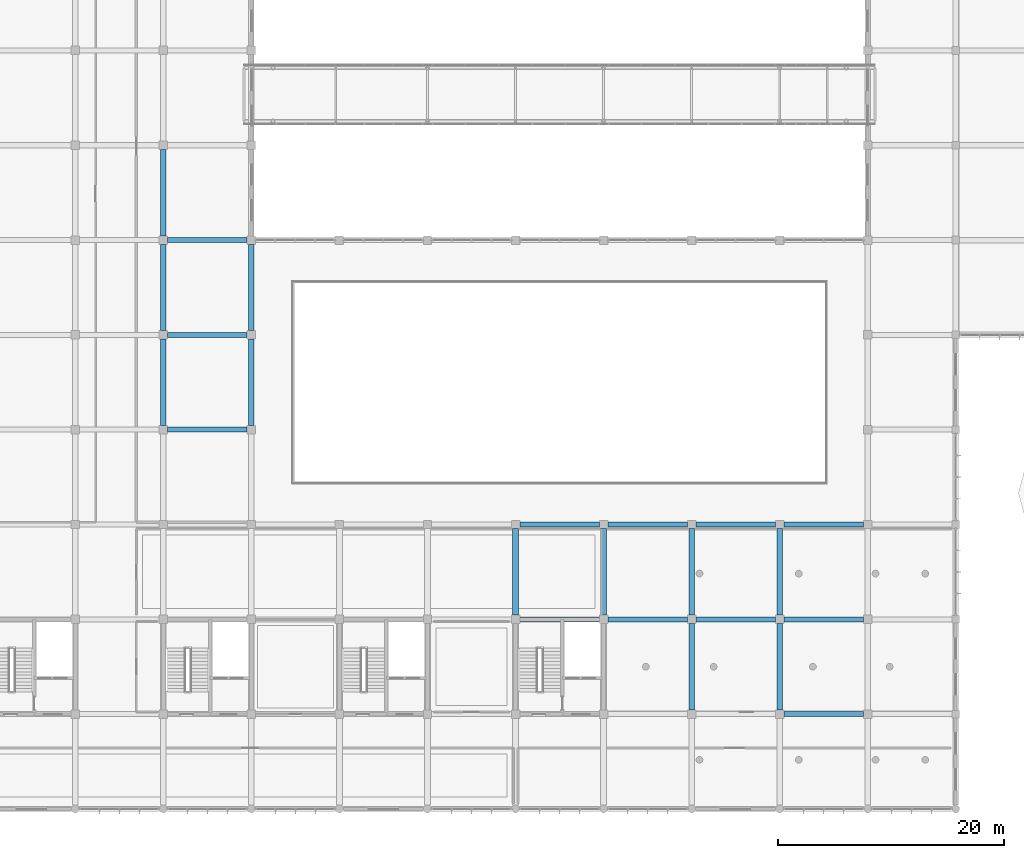
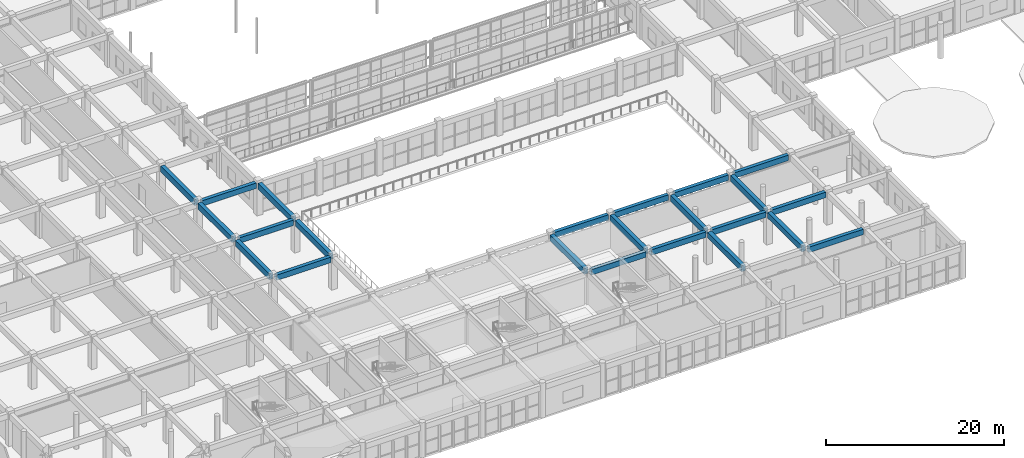
# One storey, part 39 of 175: 23 beams.
"""IFC4 building model written with IfcOpenShell, lengths in metres."""

from ifc_helpers import new_model, si_unit, direction, frame, origin, origin_2d, place, context, subcontext, project, spatial, rectangle, extrude, material, material_profile, profile_set, type_object, element, save


model = new_model("IFC4")

# Units and contexts
model_context = context("Model", 3, precision=1e-05, world=origin(), true_north=direction((0.0, 1.0)))
body_context = subcontext(model_context, "Body", "Model", "MODEL_VIEW")
ifc_project = project(units=[si_unit("LENGTHUNIT", "METRE"), si_unit("AREAUNIT", "SQUARE_METRE"), si_unit("VOLUMEUNIT", "CUBIC_METRE"), si_unit("PLANEANGLEUNIT", "RADIAN"), si_unit("MASSUNIT", "GRAM", prefix="KILO")], contexts=[model_context])

# Site, building, storey
site_placement = place(None, origin())
site = spatial("IfcSite", under=ifc_project, at=site_placement, CompositionType="ELEMENT")
building_placement = place(site_placement, origin())
building = spatial("IfcBuilding", under=site, at=building_placement, Name="Zizhar Promenade General Hospital", CompositionType="ELEMENT")
storey_placement = place(building_placement, frame((0.0, 0.0, 4.800048828125)))
storey = spatial("IfcBuildingStorey", under=building, at=storey_placement, Name="L01", CompositionType="ELEMENT", Elevation=4.800048828125)

# Beams
ifc_material_1 = material(Name="Concrete C35/45", Category="concrete")
ifc_material_profile_1 = material_profile(ifc_material_1, rectangle(XDim=0.449951171875, YDim=0.75, at=origin_2d()))
ifc_profile_set_1 = profile_set([ifc_material_profile_1], Name="Concrete C35/45")
beam_type_1 = type_object("IfcBeamType", Name="BM-RC-450x750", PredefinedType="BEAM", material=ifc_profile_set_1)
for number, where, z_axis, x_axis, name in (
    (1, (62.77490234375, 33.60009765625, 4.094970703125), (1.0, 0.0, 0.0), (0.0, 1.0, 0.0), "Grid Beam X L01 (8-4)"),
    (2, (62.77490234375, 42.0, 4.094970703125), (1.0, 0.0, 0.0), (0.0, 1.0, 0.0), "Grid Beam X L01 (8-5)"),
    (3, (62.77490234375, 50.39990234375, 4.094970703125), (1.0, 0.0, 0.0), (0.0, 1.0, 0.0), "Grid Beam X L01 (8-6)"),
):
    element("IfcBeam", number, at=place(storey_placement, frame(where, z_axis=z_axis, x_axis=x_axis)), inside=storey, type_object=beam_type_1, Name=name, PredefinedType="BEAM", context=body_context, shape_type="SweptSolid", body=[
        extrude(rectangle(XDim=0.449951171875, YDim=0.75, at=origin_2d()), origin(), (0.0, 0.0, 1.0), 7.050048828125),
    ])
for number, where, z_axis, x_axis, name in (
    (4, (93.97509765625, 16.800048828125, 4.094970703125), (1.0, 0.0, 0.0), (0.0, 1.0, 0.0), "Grid Beam X L01 (12-2)"),
    (5, (93.97509765625, 25.199951171875, 4.094970703125), (1.0, 0.0, 0.0), (0.0, 1.0, 0.0), "Grid Beam X L01 (12-3)"),
):
    element("IfcBeam", number, at=place(storey_placement, frame(where, z_axis=z_axis, x_axis=x_axis)), inside=storey, type_object=beam_type_1, Name=name, PredefinedType="BEAM", context=body_context, shape_type="SweptSolid", body=[
        extrude(rectangle(XDim=0.449951171875, YDim=0.75, at=origin_2d()), origin(), (0.0, 0.0, 1.0), 7.0498046875),
    ])
for number, where, z_axis, x_axis, name in (
    (6, (101.77490234375, 16.800048828125, 4.094970703125), (1.0, 0.0, 0.0), (0.0, 1.0, 0.0), "Grid Beam X L01 (13-2)"),
    (7, (101.77490234375, 25.199951171875, 4.094970703125), (1.0, 0.0, 0.0), (0.0, 1.0, 0.0), "Grid Beam X L01 (13-3)"),
    (8, (109.574951171875, 16.800048828125, 4.094970703125), (1.0, 0.0, 0.0), (0.0, 1.0, 0.0), "Grid Beam X L01 (14-2)"),
    (9, (109.574951171875, 25.199951171875, 4.094970703125), (1.0, 0.0, 0.0), (0.0, 1.0, 0.0), "Grid Beam X L01 (14-3)"),
    (10, (117.375, 8.39990234375, 4.094970703125), (1.0, 0.0, 0.0), (0.0, 1.0, 0.0), "Grid Beam X L01 (15-1)"),
    (11, (117.375, 16.800048828125, 4.094970703125), (1.0, 0.0, 0.0), (0.0, 1.0, 0.0), "Grid Beam X L01 (15-2)"),
    (12, (117.375, 25.199951171875, 4.094970703125), (1.0, 0.0, 0.0), (0.0, 1.0, 0.0), "Grid Beam X L01 (15-3)"),
):
    element("IfcBeam", number, at=place(storey_placement, frame(where, z_axis=z_axis, x_axis=x_axis)), inside=storey, type_object=beam_type_1, Name=name, PredefinedType="BEAM", context=body_context, shape_type="SweptSolid", body=[
        extrude(rectangle(XDim=0.449951171875, YDim=0.75, at=origin_2d()), origin(), (0.0, 0.0, 1.0), 7.050048828125),
    ])
ifc_material_2 = material(Name="Concrete C35/45", Category="concrete")
ifc_material_profile_2 = material_profile(ifc_material_2, rectangle(XDim=0.5, YDim=0.800048828125, at=origin_2d()))
ifc_profile_set_2 = profile_set([ifc_material_profile_2], Name="Concrete C35/45")
beam_type_2 = type_object("IfcBeamType", Name="BM-RC-500x800", PredefinedType="BEAM", material=ifc_profile_set_2)
for number, where, z_axis, x_axis, name in (
    (13, (62.39990234375, 33.97509765625, 4.070068359375), (0.0, 1.0, 0.0), (-1.0, 0.0, 0.0), "Grid Beam Y L01 (8-4)"),
    (14, (62.39990234375, 42.375, 4.070068359375), (0.0, 1.0, 0.0), (-1.0, 0.0, 0.0), "Grid Beam Y L01 (8-5)"),
):
    element("IfcBeam", number, at=place(storey_placement, frame(where, z_axis=z_axis, x_axis=x_axis)), inside=storey, type_object=beam_type_2, Name=name, PredefinedType="BEAM", context=body_context, shape_type="SweptSolid", body=[
        extrude(rectangle(XDim=0.5, YDim=0.800048828125, at=origin_2d()), origin(), (0.0, 0.0, 1.0), 7.64990234375),
    ])
beam_1_placement = place(storey_placement, frame((62.39990234375, 50.77490234375, 4.070068359375), z_axis=(0.0, 1.0, 0.0), x_axis=(-1.0, 0.0, 0.0)))
element("IfcBeam", 15, at=beam_1_placement, inside=storey, type_object=beam_type_2, Name="Grid Beam Y L01 (8-6)", PredefinedType="BEAM", context=body_context, shape_type="SweptSolid", body=[
    extrude(rectangle(XDim=0.5, YDim=0.800048828125, at=origin_2d()), origin(), (0.0, 0.0, 1.0), 7.650146484375),
])
for number, where, z_axis, x_axis, name in (
    (16, (70.199951171875, 33.97509765625, 4.070068359375), (0.0, 1.0, 0.0), (-1.0, 0.0, 0.0), "Grid Beam Y L01 (9-4)"),
    (17, (70.199951171875, 42.375, 4.070068359375), (0.0, 1.0, 0.0), (-1.0, 0.0, 0.0), "Grid Beam Y L01 (9-5)"),
    (18, (93.60009765625, 17.175048828125, 4.070068359375), (0.0, 1.0, 0.0), (-1.0, 0.0, 0.0), "Grid Beam Y L01 (12-2)"),
    (19, (101.39990234375, 17.175048828125, 4.070068359375), (0.0, 1.0, 0.0), (-1.0, 0.0, 0.0), "Grid Beam Y L01 (13-2)"),
):
    element("IfcBeam", number, at=place(storey_placement, frame(where, z_axis=z_axis, x_axis=x_axis)), inside=storey, type_object=beam_type_2, Name=name, PredefinedType="BEAM", context=body_context, shape_type="SweptSolid", body=[
        extrude(rectangle(XDim=0.5, YDim=0.800048828125, at=origin_2d()), origin(), (0.0, 0.0, 1.0), 7.64990234375),
    ])
beam_2_placement = place(storey_placement, frame((109.199951171875, 8.77490234375, 4.070068359375), z_axis=(0.0, 1.0, 0.0), x_axis=(-1.0, 0.0, 0.0)))
element("IfcBeam", 20, at=beam_2_placement, inside=storey, type_object=beam_type_2, Name="Grid Beam Y L01 (14-1)", PredefinedType="BEAM", context=body_context, shape_type="SweptSolid", body=[
    extrude(rectangle(XDim=0.5, YDim=0.800048828125, at=origin_2d()), origin(), (0.0, 0.0, 1.0), 7.650146484375),
])
beam_3_placement = place(storey_placement, frame((109.199951171875, 17.175048828125, 4.070068359375), z_axis=(0.0, 1.0, 0.0), x_axis=(-1.0, 0.0, 0.0)))
element("IfcBeam", 21, at=beam_3_placement, inside=storey, type_object=beam_type_2, Name="Grid Beam Y L01 (14-2)", PredefinedType="BEAM", context=body_context, shape_type="SweptSolid", body=[
    extrude(rectangle(XDim=0.5, YDim=0.800048828125, at=origin_2d()), origin(), (0.0, 0.0, 1.0), 7.64990234375),
])
beam_4_placement = place(storey_placement, frame((117.0, 8.77490234375, 4.070068359375), z_axis=(0.0, 1.0, 0.0), x_axis=(-1.0, 0.0, 0.0)))
element("IfcBeam", 22, at=beam_4_placement, inside=storey, type_object=beam_type_2, Name="Grid Beam Y L01 (15-1)", PredefinedType="BEAM", context=body_context, shape_type="SweptSolid", body=[
    extrude(rectangle(XDim=0.5, YDim=0.800048828125, at=origin_2d()), origin(), (0.0, 0.0, 1.0), 7.650146484375),
])
beam_5_placement = place(storey_placement, frame((117.0, 17.175048828125, 4.070068359375), z_axis=(0.0, 1.0, 0.0), x_axis=(-1.0, 0.0, 0.0)))
element("IfcBeam", 23, at=beam_5_placement, inside=storey, type_object=beam_type_2, Name="Grid Beam Y L01 (15-2)", PredefinedType="BEAM", context=body_context, shape_type="SweptSolid", body=[
    extrude(rectangle(XDim=0.5, YDim=0.800048828125, at=origin_2d()), origin(), (0.0, 0.0, 1.0), 7.64990234375),
])

save(model, "model.ifc")
